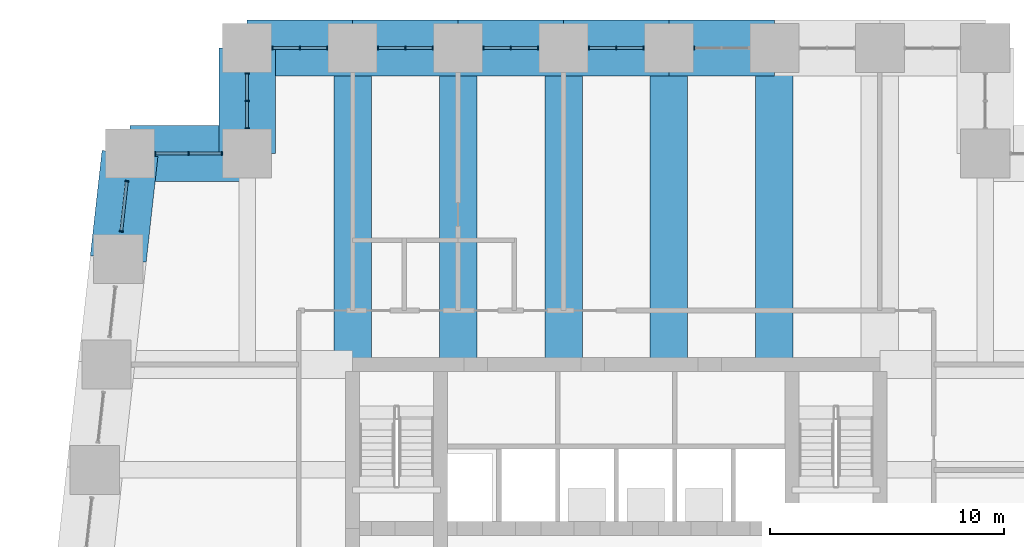
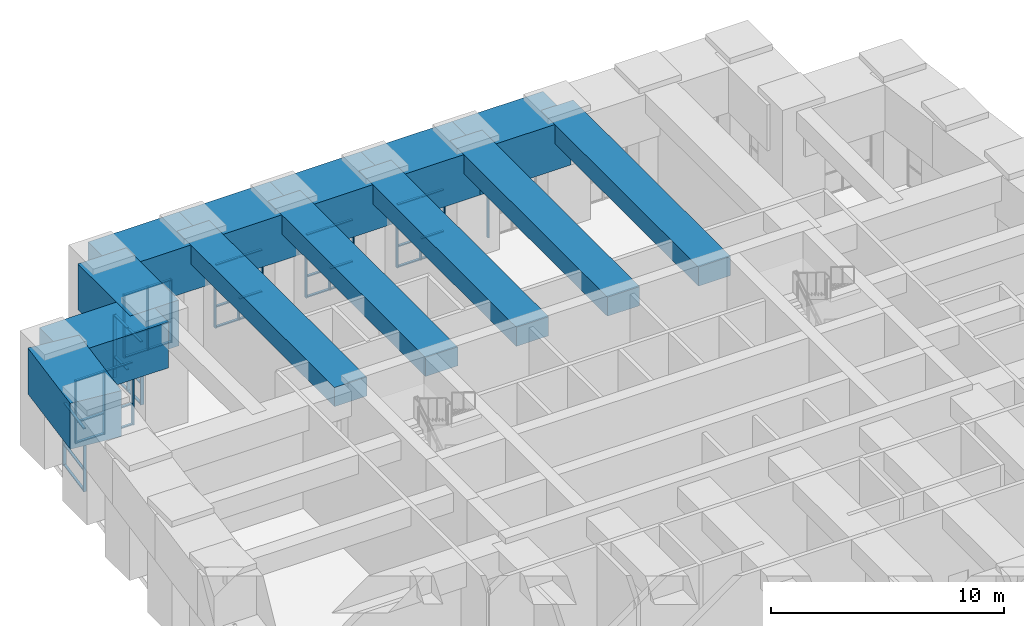
# One storey, part 7 of 17: 60 members, 13 beams, 8 elements without a shape of their own.
"""IFC4 building model written with IfcOpenShell, lengths in metres."""

from ifc_helpers import new_model, si_unit, direction, frame, origin, origin_2d, place, context, subcontext, project, spatial, rectangle, extrude, material, material_profile, profile_set, type_object, element, aggregate, save


model = new_model("IFC4")

# Units and contexts
model_context = context("Model", 3, precision=1e-05, world=origin(), true_north=direction((0.0, 1.0)))
body_context = subcontext(model_context, "Body", "Model", "MODEL_VIEW")
ifc_project = project(units=[si_unit("LENGTHUNIT", "METRE"), si_unit("AREAUNIT", "SQUARE_METRE"), si_unit("VOLUMEUNIT", "CUBIC_METRE"), si_unit("PLANEANGLEUNIT", "RADIAN"), si_unit("MASSUNIT", "GRAM", prefix="KILO")], contexts=[model_context])

# Site, building, storey
site_placement = place(None, origin())
site = spatial("IfcSite", under=ifc_project, at=site_placement, CompositionType="ELEMENT")
building_placement = place(site_placement, origin())
building = spatial("IfcBuilding", under=site, at=building_placement, Name="Kilele Tower Hotel", CompositionType="ELEMENT")
storey_placement = place(building_placement, frame((0.0, 0.0, 145.89990234375)))
storey = spatial("IfcBuildingStorey", under=building, at=storey_placement, Name="L38", CompositionType="ELEMENT", Elevation=145.89990234375)

# Beams
ifc_material_1 = material(Name="Concrete C60/75", Category="concrete")
ifc_material_profile_1 = material_profile(ifc_material_1, rectangle(XDim=1.60009765625, YDim=1.0, at=origin_2d()))
ifc_profile_set_1 = profile_set([ifc_material_profile_1], Name="Concrete C60/75")
beam_type_1 = type_object("IfcBeamType", Name="Beam RC 1600x1000 C60/75", PredefinedType="BEAM", material=ifc_profile_set_1)
for number, where, z_axis, x_axis, name in (
    (1, (31.5, 40.5, 5.2001953125), (0.0, -1.0, 0.0), (1.0, 0.0, 0.0), "Beam BC1 level L39"),
    (2, (27.0, 40.5, 5.2001953125), (0.0, -1.0, 0.0), (1.0, 0.0, 0.0), "Beam BC1 level L39"),
    (3, (22.5, 40.5, 5.2001953125), (0.0, -1.0, 0.0), (1.0, 0.0, 0.0), "Beam BC1 level L39"),
    (4, (18.0, 40.5, 5.2001953125), (0.0, -1.0, 0.0), (1.0, 0.0, 0.0), "Beam BC1 level L39"),
    (5, (13.5, 40.5, 5.2001953125), (0.0, -1.0, 0.0), (1.0, 0.0, 0.0), "Beam BC1 level L39"),
):
    element("IfcBeam", number, at=place(storey_placement, frame(where, z_axis=z_axis, x_axis=x_axis)), inside=storey, type_object=beam_type_1, Name=name, PredefinedType="BEAM", context=body_context, shape_type="SweptSolid", body=[
        extrude(rectangle(XDim=1.60009765625, YDim=1.0, at=origin_2d()), origin(), (0.0, 0.0, 1.0), 13.5),
    ])

# Curtain wall, member
ifc_material_2 = material(Name="Aluminium curtain wall, clear double glazing", Category="aluminium")
curtain_wall_type = type_object("IfcCurtainWallType", Name="Sky lobby curtain wall CW-3", PredefinedType="NOTDEFINED", material=ifc_material_2)
curtain_wall_1_placement = place(storey_placement, origin())
curtain_wall_1 = element("IfcCurtainWall", 6, at=curtain_wall_1_placement, inside=storey, type_object=curtain_wall_type, Name="Sky lobby curtain wall CW-3 L38", PredefinedType="NOTDEFINED")
ifc_material_3 = material(Name="Aluminium EN AW-6063 T6", Category="aluminium")
ifc_material_profile_2 = material_profile(ifc_material_3, rectangle(XDim=0.159912109375, YDim=0.06005859375, at=origin_2d()))
ifc_profile_set_2 = profile_set([ifc_material_profile_2], Name="Aluminium EN AW-6063 T6")
member_type_1 = type_object("IfcMemberType", Name="Mullion 60x160 CW-3", PredefinedType="MULLION", material=ifc_profile_set_2)
member_1_placement = place(storey_placement, frame((28.080078125, 40.5, 0.0), z_axis=(0.0, 0.0, 1.0), x_axis=(0.0, -1.0, 0.0)))
member_1 = element("IfcMember", 7, at=member_1_placement, type_object=member_type_1, Name="CW-3 mullion 3", PredefinedType="MULLION", context=body_context, shape_type="SweptSolid", body=[
    extrude(rectangle(XDim=0.159912109375, YDim=0.06005859375, at=origin_2d()), origin(), (0.0, 0.0, 1.0), 3.300048828125),
])
aggregate(curtain_wall_1, [member_1])

# Curtain wall, members
curtain_wall_2_placement = place(storey_placement, origin())
curtain_wall_2 = element("IfcCurtainWall", 8, at=curtain_wall_2_placement, inside=storey, type_object=curtain_wall_type, Name="Sky lobby curtain wall CW-3 L38", PredefinedType="NOTDEFINED")
member_2_placement = place(storey_placement, frame((25.919921875, 40.5, 0.0), z_axis=(0.0, 0.0, 1.0), x_axis=(0.0, -1.0, 0.0)))
member_2 = element("IfcMember", 9, at=member_2_placement, type_object=member_type_1, Name="CW-3 mullion 1", PredefinedType="MULLION", context=body_context, shape_type="SweptSolid", body=[
    extrude(rectangle(XDim=0.159912109375, YDim=0.06005859375, at=origin_2d()), origin(), (0.0, 0.0, 1.0), 3.300048828125),
])
member_3_placement = place(storey_placement, frame((24.75, 40.5, 0.0), z_axis=(0.0, 0.0, 1.0), x_axis=(0.0, -1.0, 0.0)))
member_3 = element("IfcMember", 10, at=member_3_placement, type_object=member_type_1, Name="CW-3 mullion 2", PredefinedType="MULLION", context=body_context, shape_type="SweptSolid", body=[
    extrude(rectangle(XDim=0.159912109375, YDim=0.06005859375, at=origin_2d()), origin(), (0.0, 0.0, 1.0), 3.300048828125),
])
member_4_placement = place(storey_placement, frame((23.580078125, 40.5, 0.0), z_axis=(0.0, 0.0, 1.0), x_axis=(0.0, -1.0, 0.0)))
member_4 = element("IfcMember", 11, at=member_4_placement, type_object=member_type_1, Name="CW-3 mullion 3", PredefinedType="MULLION", context=body_context, shape_type="SweptSolid", body=[
    extrude(rectangle(XDim=0.159912109375, YDim=0.06005859375, at=origin_2d()), origin(), (0.0, 0.0, 1.0), 3.300048828125),
])

curtain_wall_3_placement = place(storey_placement, origin())
curtain_wall_3 = element("IfcCurtainWall", 12, at=curtain_wall_3_placement, inside=storey, type_object=curtain_wall_type, Name="Sky lobby curtain wall CW-3 L38", PredefinedType="NOTDEFINED")
member_5_placement = place(storey_placement, frame((21.419921875, 40.5, 0.0), z_axis=(0.0, 0.0, 1.0), x_axis=(0.0, -1.0, 0.0)))
member_5 = element("IfcMember", 13, at=member_5_placement, type_object=member_type_1, Name="CW-3 mullion 1", PredefinedType="MULLION", context=body_context, shape_type="SweptSolid", body=[
    extrude(rectangle(XDim=0.159912109375, YDim=0.06005859375, at=origin_2d()), origin(), (0.0, 0.0, 1.0), 3.300048828125),
])
member_6_placement = place(storey_placement, frame((20.25, 40.5, 0.0), z_axis=(0.0, 0.0, 1.0), x_axis=(0.0, -1.0, 0.0)))
member_6 = element("IfcMember", 14, at=member_6_placement, type_object=member_type_1, Name="CW-3 mullion 2", PredefinedType="MULLION", context=body_context, shape_type="SweptSolid", body=[
    extrude(rectangle(XDim=0.159912109375, YDim=0.06005859375, at=origin_2d()), origin(), (0.0, 0.0, 1.0), 3.300048828125),
])
member_7_placement = place(storey_placement, frame((19.080078125, 40.5, 0.0), z_axis=(0.0, 0.0, 1.0), x_axis=(0.0, -1.0, 0.0)))
member_7 = element("IfcMember", 15, at=member_7_placement, type_object=member_type_1, Name="CW-3 mullion 3", PredefinedType="MULLION", context=body_context, shape_type="SweptSolid", body=[
    extrude(rectangle(XDim=0.159912109375, YDim=0.06005859375, at=origin_2d()), origin(), (0.0, 0.0, 1.0), 3.300048828125),
])

curtain_wall_4_placement = place(storey_placement, origin())
curtain_wall_4 = element("IfcCurtainWall", 16, at=curtain_wall_4_placement, inside=storey, type_object=curtain_wall_type, Name="Sky lobby curtain wall CW-3 L38", PredefinedType="NOTDEFINED")
member_8_placement = place(storey_placement, frame((16.919921875, 40.5, 0.0), z_axis=(0.0, 0.0, 1.0), x_axis=(0.0, -1.0, 0.0)))
member_8 = element("IfcMember", 17, at=member_8_placement, type_object=member_type_1, Name="CW-3 mullion 1", PredefinedType="MULLION", context=body_context, shape_type="SweptSolid", body=[
    extrude(rectangle(XDim=0.159912109375, YDim=0.06005859375, at=origin_2d()), origin(), (0.0, 0.0, 1.0), 3.300048828125),
])
member_9_placement = place(storey_placement, frame((15.75, 40.5, 0.0), z_axis=(0.0, 0.0, 1.0), x_axis=(0.0, -1.0, 0.0)))
member_9 = element("IfcMember", 18, at=member_9_placement, type_object=member_type_1, Name="CW-3 mullion 2", PredefinedType="MULLION", context=body_context, shape_type="SweptSolid", body=[
    extrude(rectangle(XDim=0.159912109375, YDim=0.06005859375, at=origin_2d()), origin(), (0.0, 0.0, 1.0), 3.300048828125),
])
member_10_placement = place(storey_placement, frame((14.580078125, 40.5, 0.0), z_axis=(0.0, 0.0, 1.0), x_axis=(0.0, -1.0, 0.0)))
member_10 = element("IfcMember", 19, at=member_10_placement, type_object=member_type_1, Name="CW-3 mullion 3", PredefinedType="MULLION", context=body_context, shape_type="SweptSolid", body=[
    extrude(rectangle(XDim=0.159912109375, YDim=0.06005859375, at=origin_2d()), origin(), (0.0, 0.0, 1.0), 3.300048828125),
])

curtain_wall_5_placement = place(storey_placement, origin())
curtain_wall_5 = element("IfcCurtainWall", 20, at=curtain_wall_5_placement, inside=storey, type_object=curtain_wall_type, Name="Sky lobby curtain wall CW-3 L38", PredefinedType="NOTDEFINED")
member_11_placement = place(storey_placement, frame((12.419921875, 40.5, 0.0), z_axis=(0.0, 0.0, 1.0), x_axis=(0.0, -1.0, 0.0)))
member_11 = element("IfcMember", 21, at=member_11_placement, type_object=member_type_1, Name="CW-3 mullion 1", PredefinedType="MULLION", context=body_context, shape_type="SweptSolid", body=[
    extrude(rectangle(XDim=0.159912109375, YDim=0.06005859375, at=origin_2d()), origin(), (0.0, 0.0, 1.0), 3.300048828125),
])
member_12_placement = place(storey_placement, frame((11.25, 40.5, 0.0), z_axis=(0.0, 0.0, 1.0), x_axis=(0.0, -1.0, 0.0)))
member_12 = element("IfcMember", 22, at=member_12_placement, type_object=member_type_1, Name="CW-3 mullion 2", PredefinedType="MULLION", context=body_context, shape_type="SweptSolid", body=[
    extrude(rectangle(XDim=0.159912109375, YDim=0.06005859375, at=origin_2d()), origin(), (0.0, 0.0, 1.0), 3.300048828125),
])
member_13_placement = place(storey_placement, frame((10.080078125, 40.5, 0.0), z_axis=(0.0, 0.0, 1.0), x_axis=(0.0, -1.0, 0.0)))
member_13 = element("IfcMember", 23, at=member_13_placement, type_object=member_type_1, Name="CW-3 mullion 3", PredefinedType="MULLION", context=body_context, shape_type="SweptSolid", body=[
    extrude(rectangle(XDim=0.159912109375, YDim=0.06005859375, at=origin_2d()), origin(), (0.0, 0.0, 1.0), 3.300048828125),
])

curtain_wall_6_placement = place(storey_placement, origin())
curtain_wall_6 = element("IfcCurtainWall", 24, at=curtain_wall_6_placement, inside=storey, type_object=curtain_wall_type, Name="Sky lobby curtain wall CW-3 L38", PredefinedType="NOTDEFINED")
member_14_placement = place(storey_placement, frame((9.0, 39.419921875, 0.0), z_axis=(0.0, 0.0, 1.0), x_axis=(1.0, 0.0, 0.0)))
member_14 = element("IfcMember", 25, at=member_14_placement, type_object=member_type_1, Name="CW-3 mullion 1", PredefinedType="MULLION", context=body_context, shape_type="SweptSolid", body=[
    extrude(rectangle(XDim=0.159912109375, YDim=0.06005859375, at=origin_2d()), origin(), (0.0, 0.0, 1.0), 3.300048828125),
])
member_15_placement = place(storey_placement, frame((9.0, 38.25, 0.0), z_axis=(0.0, 0.0, 1.0), x_axis=(1.0, 0.0, 0.0)))
member_15 = element("IfcMember", 26, at=member_15_placement, type_object=member_type_1, Name="CW-3 mullion 2", PredefinedType="MULLION", context=body_context, shape_type="SweptSolid", body=[
    extrude(rectangle(XDim=0.159912109375, YDim=0.06005859375, at=origin_2d()), origin(), (0.0, 0.0, 1.0), 3.300048828125),
])
member_16_placement = place(storey_placement, frame((9.0, 37.080078125, 0.0), z_axis=(0.0, 0.0, 1.0), x_axis=(1.0, 0.0, 0.0)))
member_16 = element("IfcMember", 27, at=member_16_placement, type_object=member_type_1, Name="CW-3 mullion 3", PredefinedType="MULLION", context=body_context, shape_type="SweptSolid", body=[
    extrude(rectangle(XDim=0.159912109375, YDim=0.06005859375, at=origin_2d()), origin(), (0.0, 0.0, 1.0), 3.300048828125),
])

curtain_wall_7_placement = place(storey_placement, origin())
curtain_wall_7 = element("IfcCurtainWall", 28, at=curtain_wall_7_placement, inside=storey, type_object=curtain_wall_type, Name="Sky lobby curtain wall CW-3 L38", PredefinedType="NOTDEFINED")
member_17_placement = place(storey_placement, frame((7.919921875, 36.0, 0.0), z_axis=(0.0, 0.0, 1.0), x_axis=(0.0, -1.0, 0.0)))
member_17 = element("IfcMember", 29, at=member_17_placement, type_object=member_type_1, Name="CW-3 mullion 1", PredefinedType="MULLION", context=body_context, shape_type="SweptSolid", body=[
    extrude(rectangle(XDim=0.159912109375, YDim=0.06005859375, at=origin_2d()), origin(), (0.0, 0.0, 1.0), 3.300048828125),
])
member_18_placement = place(storey_placement, frame((6.5, 36.0, 0.0), z_axis=(0.0, 0.0, 1.0), x_axis=(0.0, -1.0, 0.0)))
member_18 = element("IfcMember", 30, at=member_18_placement, type_object=member_type_1, Name="CW-3 mullion 2", PredefinedType="MULLION", context=body_context, shape_type="SweptSolid", body=[
    extrude(rectangle(XDim=0.159912109375, YDim=0.06005859375, at=origin_2d()), origin(), (0.0, 0.0, 1.0), 3.300048828125),
])
member_19_placement = place(storey_placement, frame((5.080078125, 36.0, 0.0), z_axis=(0.0, 0.0, 1.0), x_axis=(0.0, -1.0, 0.0)))
member_19 = element("IfcMember", 31, at=member_19_placement, type_object=member_type_1, Name="CW-3 mullion 3", PredefinedType="MULLION", context=body_context, shape_type="SweptSolid", body=[
    extrude(rectangle(XDim=0.159912109375, YDim=0.06005859375, at=origin_2d()), origin(), (0.0, 0.0, 1.0), 3.300048828125),
])

curtain_wall_8_placement = place(storey_placement, origin())
curtain_wall_8 = element("IfcCurtainWall", 32, at=curtain_wall_8_placement, inside=storey, type_object=curtain_wall_type, Name="Sky lobby curtain wall CW-3 L38", PredefinedType="NOTDEFINED")
member_20_placement = place(storey_placement, frame((3.86865234375, 34.817626953125, 0.0), z_axis=(0.0, 0.0, 1.0), x_axis=(0.993883734629, -0.110431526475, 0.0)))
member_20 = element("IfcMember", 33, at=member_20_placement, type_object=member_type_1, Name="CW-3 mullion 1", PredefinedType="MULLION", context=body_context, shape_type="SweptSolid", body=[
    extrude(rectangle(XDim=0.159912109375, YDim=0.06005859375, at=origin_2d()), origin(), (0.0, 0.0, 1.0), 3.300048828125),
])
member_21_placement = place(storey_placement, frame((3.63134765625, 32.682373046875, 0.0), z_axis=(0.0, 0.0, 1.0), x_axis=(0.993883734629, -0.110431526475, 0.0)))
member_21 = element("IfcMember", 34, at=member_21_placement, type_object=member_type_1, Name="CW-3 mullion 2", PredefinedType="MULLION", context=body_context, shape_type="SweptSolid", body=[
    extrude(rectangle(XDim=0.159912109375, YDim=0.06005859375, at=origin_2d()), origin(), (0.0, 0.0, 1.0), 3.300048828125),
])

# Beams
ifc_material_4 = material(Name="Concrete C60/75", Category="concrete")
ifc_material_profile_3 = material_profile(ifc_material_4, rectangle(XDim=2.39990234375, YDim=2.39990234375, at=origin_2d()))
ifc_profile_set_3 = profile_set([ifc_material_profile_3], Name="Concrete C60/75")
beam_type_2 = type_object("IfcBeamType", Name="Spandrel RC 2400x2400 C60/75", PredefinedType="SPANDREL", material=ifc_profile_set_3)
for number, where, z_axis, x_axis, name in (
    (35, (31.5, 40.5, 4.5), (-1.0, 0.0, 0.0), (0.0, -1.0, 0.0), "Spandrel SP15 level L39"),
    (36, (27.0, 40.5, 4.5), (-1.0, 0.0, 0.0), (0.0, -1.0, 0.0), "Spandrel SP15 level L39"),
    (37, (22.5, 40.5, 4.5), (-1.0, 0.0, 0.0), (0.0, -1.0, 0.0), "Spandrel SP15 level L39"),
    (38, (18.0, 40.5, 4.5), (-1.0, 0.0, 0.0), (0.0, -1.0, 0.0), "Spandrel SP15 level L39"),
    (39, (13.5, 40.5, 4.5), (-1.0, 0.0, 0.0), (0.0, -1.0, 0.0), "Spandrel SP15 level L39"),
    (40, (9.0, 40.5, 4.5), (0.0, -1.0, 0.0), (1.0, 0.0, 0.0), "Spandrel SP15 level L39"),
):
    element("IfcBeam", number, at=place(storey_placement, frame(where, z_axis=z_axis, x_axis=x_axis)), inside=storey, type_object=beam_type_2, Name=name, PredefinedType="SPANDREL", context=body_context, shape_type="SweptSolid", body=[
        extrude(rectangle(XDim=2.39990234375, YDim=2.39990234375, at=origin_2d()), origin(), (0.0, 0.0, 1.0), 4.5),
    ])
beam_1_placement = place(storey_placement, frame((9.0, 36.0, 4.5), z_axis=(-1.0, 0.0, 0.0), x_axis=(0.0, -1.0, 0.0)))
element("IfcBeam", 41, at=beam_1_placement, inside=storey, type_object=beam_type_2, Name="Spandrel SP15 level L39", PredefinedType="SPANDREL", context=body_context, shape_type="SweptSolid", body=[
    extrude(rectangle(XDim=2.39990234375, YDim=2.39990234375, at=origin_2d()), origin(), (0.0, 0.0, 1.0), 5.0),
])
beam_2_placement = place(storey_placement, frame((4.0, 36.0, 4.5), z_axis=(-0.110431526075, -0.993883734674, 0.0), x_axis=(0.993883734674, -0.110431526075, 0.0)))
element("IfcBeam", 42, at=beam_2_placement, inside=storey, type_object=beam_type_2, Name="Spandrel SP15 level L39", PredefinedType="SPANDREL", context=body_context, shape_type="SweptSolid", body=[
    extrude(rectangle(XDim=2.39990234375, YDim=2.39990234375, at=origin_2d()), origin(), (0.0, 0.0, 1.0), 4.527587890625),
])

# Member
ifc_material_5 = material(Name="Aluminium EN AW-6063 T6", Category="aluminium")
ifc_material_profile_4 = material_profile(ifc_material_5, rectangle(XDim=0.1201171875, YDim=0.06005859375, at=origin_2d()))
ifc_profile_set_4 = profile_set([ifc_material_profile_4], Name="Aluminium EN AW-6063 T6")
member_type_2 = type_object("IfcMemberType", Name="Transom 60x120 CW-3", PredefinedType="USERDEFINED", material=ifc_profile_set_4)
member_22_placement = place(storey_placement, frame((25.889892578125, 40.5, 0.030029296875), z_axis=(-1.0, 0.0, 0.0), x_axis=(0.0, -1.0, 0.0)))
member_22 = element("IfcMember", 43, at=member_22_placement, type_object=member_type_2, Name="CW-3 transom 1.1", ObjectType="TRANSOM", PredefinedType="USERDEFINED", context=body_context, shape_type="SweptSolid", body=[
    extrude(rectangle(XDim=0.1201171875, YDim=0.06005859375, at=origin_2d()), origin(), (0.0, 0.0, 1.0), 1.10986328125),
])

member_23_placement = place(storey_placement, frame((25.889892578125, 40.5, 1.10009765625), z_axis=(-1.0, 0.0, 0.0), x_axis=(0.0, -1.0, 0.0)))
member_23 = element("IfcMember", 44, at=member_23_placement, type_object=member_type_2, Name="CW-3 transom 1.2", ObjectType="TRANSOM", PredefinedType="USERDEFINED", context=body_context, shape_type="SweptSolid", body=[
    extrude(rectangle(XDim=0.1201171875, YDim=0.06005859375, at=origin_2d()), origin(), (0.0, 0.0, 1.0), 1.10986328125),
])

member_24_placement = place(storey_placement, frame((25.889892578125, 40.5, 3.27001953125), z_axis=(-1.0, 0.0, 0.0), x_axis=(0.0, -1.0, 0.0)))
member_24 = element("IfcMember", 45, at=member_24_placement, type_object=member_type_2, Name="CW-3 transom 1.3", ObjectType="TRANSOM", PredefinedType="USERDEFINED", context=body_context, shape_type="SweptSolid", body=[
    extrude(rectangle(XDim=0.1201171875, YDim=0.06005859375, at=origin_2d()), origin(), (0.0, 0.0, 1.0), 1.10986328125),
])

member_25_placement = place(storey_placement, frame((24.719970703125, 40.5, 0.030029296875), z_axis=(-1.0, 0.0, 0.0), x_axis=(0.0, -1.0, 0.0)))
member_25 = element("IfcMember", 46, at=member_25_placement, type_object=member_type_2, Name="CW-3 transom 2.1", ObjectType="TRANSOM", PredefinedType="USERDEFINED", context=body_context, shape_type="SweptSolid", body=[
    extrude(rectangle(XDim=0.1201171875, YDim=0.06005859375, at=origin_2d()), origin(), (0.0, 0.0, 1.0), 1.10986328125),
])

member_26_placement = place(storey_placement, frame((24.719970703125, 40.5, 1.10009765625), z_axis=(-1.0, 0.0, 0.0), x_axis=(0.0, -1.0, 0.0)))
member_26 = element("IfcMember", 47, at=member_26_placement, type_object=member_type_2, Name="CW-3 transom 2.2", ObjectType="TRANSOM", PredefinedType="USERDEFINED", context=body_context, shape_type="SweptSolid", body=[
    extrude(rectangle(XDim=0.1201171875, YDim=0.06005859375, at=origin_2d()), origin(), (0.0, 0.0, 1.0), 1.10986328125),
])

member_27_placement = place(storey_placement, frame((24.719970703125, 40.5, 3.27001953125), z_axis=(-1.0, 0.0, 0.0), x_axis=(0.0, -1.0, 0.0)))
member_27 = element("IfcMember", 48, at=member_27_placement, type_object=member_type_2, Name="CW-3 transom 2.3", ObjectType="TRANSOM", PredefinedType="USERDEFINED", context=body_context, shape_type="SweptSolid", body=[
    extrude(rectangle(XDim=0.1201171875, YDim=0.06005859375, at=origin_2d()), origin(), (0.0, 0.0, 1.0), 1.10986328125),
])

aggregate(curtain_wall_2, [member_2, member_3, member_4, member_22, member_23, member_24, member_25, member_26, member_27])

member_28_placement = place(storey_placement, frame((21.389892578125, 40.5, 0.030029296875), z_axis=(-1.0, 0.0, 0.0), x_axis=(0.0, -1.0, 0.0)))
member_28 = element("IfcMember", 49, at=member_28_placement, type_object=member_type_2, Name="CW-3 transom 1.1", ObjectType="TRANSOM", PredefinedType="USERDEFINED", context=body_context, shape_type="SweptSolid", body=[
    extrude(rectangle(XDim=0.1201171875, YDim=0.06005859375, at=origin_2d()), origin(), (0.0, 0.0, 1.0), 1.10986328125),
])

member_29_placement = place(storey_placement, frame((21.389892578125, 40.5, 1.10009765625), z_axis=(-1.0, 0.0, 0.0), x_axis=(0.0, -1.0, 0.0)))
member_29 = element("IfcMember", 50, at=member_29_placement, type_object=member_type_2, Name="CW-3 transom 1.2", ObjectType="TRANSOM", PredefinedType="USERDEFINED", context=body_context, shape_type="SweptSolid", body=[
    extrude(rectangle(XDim=0.1201171875, YDim=0.06005859375, at=origin_2d()), origin(), (0.0, 0.0, 1.0), 1.10986328125),
])

member_30_placement = place(storey_placement, frame((21.389892578125, 40.5, 3.27001953125), z_axis=(-1.0, 0.0, 0.0), x_axis=(0.0, -1.0, 0.0)))
member_30 = element("IfcMember", 51, at=member_30_placement, type_object=member_type_2, Name="CW-3 transom 1.3", ObjectType="TRANSOM", PredefinedType="USERDEFINED", context=body_context, shape_type="SweptSolid", body=[
    extrude(rectangle(XDim=0.1201171875, YDim=0.06005859375, at=origin_2d()), origin(), (0.0, 0.0, 1.0), 1.10986328125),
])

member_31_placement = place(storey_placement, frame((20.219970703125, 40.5, 0.030029296875), z_axis=(-1.0, 0.0, 0.0), x_axis=(0.0, -1.0, 0.0)))
member_31 = element("IfcMember", 52, at=member_31_placement, type_object=member_type_2, Name="CW-3 transom 2.1", ObjectType="TRANSOM", PredefinedType="USERDEFINED", context=body_context, shape_type="SweptSolid", body=[
    extrude(rectangle(XDim=0.1201171875, YDim=0.06005859375, at=origin_2d()), origin(), (0.0, 0.0, 1.0), 1.10986328125),
])

member_32_placement = place(storey_placement, frame((20.219970703125, 40.5, 1.10009765625), z_axis=(-1.0, 0.0, 0.0), x_axis=(0.0, -1.0, 0.0)))
member_32 = element("IfcMember", 53, at=member_32_placement, type_object=member_type_2, Name="CW-3 transom 2.2", ObjectType="TRANSOM", PredefinedType="USERDEFINED", context=body_context, shape_type="SweptSolid", body=[
    extrude(rectangle(XDim=0.1201171875, YDim=0.06005859375, at=origin_2d()), origin(), (0.0, 0.0, 1.0), 1.10986328125),
])

member_33_placement = place(storey_placement, frame((20.219970703125, 40.5, 3.27001953125), z_axis=(-1.0, 0.0, 0.0), x_axis=(0.0, -1.0, 0.0)))
member_33 = element("IfcMember", 54, at=member_33_placement, type_object=member_type_2, Name="CW-3 transom 2.3", ObjectType="TRANSOM", PredefinedType="USERDEFINED", context=body_context, shape_type="SweptSolid", body=[
    extrude(rectangle(XDim=0.1201171875, YDim=0.06005859375, at=origin_2d()), origin(), (0.0, 0.0, 1.0), 1.10986328125),
])

aggregate(curtain_wall_3, [member_5, member_6, member_7, member_28, member_29, member_30, member_31, member_32, member_33])

member_34_placement = place(storey_placement, frame((16.889892578125, 40.5, 0.030029296875), z_axis=(-1.0, 0.0, 0.0), x_axis=(0.0, -1.0, 0.0)))
member_34 = element("IfcMember", 55, at=member_34_placement, type_object=member_type_2, Name="CW-3 transom 1.1", ObjectType="TRANSOM", PredefinedType="USERDEFINED", context=body_context, shape_type="SweptSolid", body=[
    extrude(rectangle(XDim=0.1201171875, YDim=0.06005859375, at=origin_2d()), origin(), (0.0, 0.0, 1.0), 1.10986328125),
])

member_35_placement = place(storey_placement, frame((16.889892578125, 40.5, 1.10009765625), z_axis=(-1.0, 0.0, 0.0), x_axis=(0.0, -1.0, 0.0)))
member_35 = element("IfcMember", 56, at=member_35_placement, type_object=member_type_2, Name="CW-3 transom 1.2", ObjectType="TRANSOM", PredefinedType="USERDEFINED", context=body_context, shape_type="SweptSolid", body=[
    extrude(rectangle(XDim=0.1201171875, YDim=0.06005859375, at=origin_2d()), origin(), (0.0, 0.0, 1.0), 1.10986328125),
])

member_36_placement = place(storey_placement, frame((16.889892578125, 40.5, 3.27001953125), z_axis=(-1.0, 0.0, 0.0), x_axis=(0.0, -1.0, 0.0)))
member_36 = element("IfcMember", 57, at=member_36_placement, type_object=member_type_2, Name="CW-3 transom 1.3", ObjectType="TRANSOM", PredefinedType="USERDEFINED", context=body_context, shape_type="SweptSolid", body=[
    extrude(rectangle(XDim=0.1201171875, YDim=0.06005859375, at=origin_2d()), origin(), (0.0, 0.0, 1.0), 1.10986328125),
])

member_37_placement = place(storey_placement, frame((15.719970703125, 40.5, 0.030029296875), z_axis=(-1.0, 0.0, 0.0), x_axis=(0.0, -1.0, 0.0)))
member_37 = element("IfcMember", 58, at=member_37_placement, type_object=member_type_2, Name="CW-3 transom 2.1", ObjectType="TRANSOM", PredefinedType="USERDEFINED", context=body_context, shape_type="SweptSolid", body=[
    extrude(rectangle(XDim=0.1201171875, YDim=0.06005859375, at=origin_2d()), origin(), (0.0, 0.0, 1.0), 1.10986328125),
])

member_38_placement = place(storey_placement, frame((15.719970703125, 40.5, 1.10009765625), z_axis=(-1.0, 0.0, 0.0), x_axis=(0.0, -1.0, 0.0)))
member_38 = element("IfcMember", 59, at=member_38_placement, type_object=member_type_2, Name="CW-3 transom 2.2", ObjectType="TRANSOM", PredefinedType="USERDEFINED", context=body_context, shape_type="SweptSolid", body=[
    extrude(rectangle(XDim=0.1201171875, YDim=0.06005859375, at=origin_2d()), origin(), (0.0, 0.0, 1.0), 1.10986328125),
])

member_39_placement = place(storey_placement, frame((15.719970703125, 40.5, 3.27001953125), z_axis=(-1.0, 0.0, 0.0), x_axis=(0.0, -1.0, 0.0)))
member_39 = element("IfcMember", 60, at=member_39_placement, type_object=member_type_2, Name="CW-3 transom 2.3", ObjectType="TRANSOM", PredefinedType="USERDEFINED", context=body_context, shape_type="SweptSolid", body=[
    extrude(rectangle(XDim=0.1201171875, YDim=0.06005859375, at=origin_2d()), origin(), (0.0, 0.0, 1.0), 1.10986328125),
])

aggregate(curtain_wall_4, [member_8, member_9, member_10, member_34, member_35, member_36, member_37, member_38, member_39])

member_40_placement = place(storey_placement, frame((12.389892578125, 40.5, 0.030029296875), z_axis=(-1.0, 0.0, 0.0), x_axis=(0.0, -1.0, 0.0)))
member_40 = element("IfcMember", 61, at=member_40_placement, type_object=member_type_2, Name="CW-3 transom 1.1", ObjectType="TRANSOM", PredefinedType="USERDEFINED", context=body_context, shape_type="SweptSolid", body=[
    extrude(rectangle(XDim=0.1201171875, YDim=0.06005859375, at=origin_2d()), origin(), (0.0, 0.0, 1.0), 1.10986328125),
])

member_41_placement = place(storey_placement, frame((12.389892578125, 40.5, 1.10009765625), z_axis=(-1.0, 0.0, 0.0), x_axis=(0.0, -1.0, 0.0)))
member_41 = element("IfcMember", 62, at=member_41_placement, type_object=member_type_2, Name="CW-3 transom 1.2", ObjectType="TRANSOM", PredefinedType="USERDEFINED", context=body_context, shape_type="SweptSolid", body=[
    extrude(rectangle(XDim=0.1201171875, YDim=0.06005859375, at=origin_2d()), origin(), (0.0, 0.0, 1.0), 1.10986328125),
])

member_42_placement = place(storey_placement, frame((12.389892578125, 40.5, 3.27001953125), z_axis=(-1.0, 0.0, 0.0), x_axis=(0.0, -1.0, 0.0)))
member_42 = element("IfcMember", 63, at=member_42_placement, type_object=member_type_2, Name="CW-3 transom 1.3", ObjectType="TRANSOM", PredefinedType="USERDEFINED", context=body_context, shape_type="SweptSolid", body=[
    extrude(rectangle(XDim=0.1201171875, YDim=0.06005859375, at=origin_2d()), origin(), (0.0, 0.0, 1.0), 1.10986328125),
])

member_43_placement = place(storey_placement, frame((11.219970703125, 40.5, 0.030029296875), z_axis=(-1.0, 0.0, 0.0), x_axis=(0.0, -1.0, 0.0)))
member_43 = element("IfcMember", 64, at=member_43_placement, type_object=member_type_2, Name="CW-3 transom 2.1", ObjectType="TRANSOM", PredefinedType="USERDEFINED", context=body_context, shape_type="SweptSolid", body=[
    extrude(rectangle(XDim=0.1201171875, YDim=0.06005859375, at=origin_2d()), origin(), (0.0, 0.0, 1.0), 1.10986328125),
])

member_44_placement = place(storey_placement, frame((11.219970703125, 40.5, 1.10009765625), z_axis=(-1.0, 0.0, 0.0), x_axis=(0.0, -1.0, 0.0)))
member_44 = element("IfcMember", 65, at=member_44_placement, type_object=member_type_2, Name="CW-3 transom 2.2", ObjectType="TRANSOM", PredefinedType="USERDEFINED", context=body_context, shape_type="SweptSolid", body=[
    extrude(rectangle(XDim=0.1201171875, YDim=0.06005859375, at=origin_2d()), origin(), (0.0, 0.0, 1.0), 1.10986328125),
])

member_45_placement = place(storey_placement, frame((11.219970703125, 40.5, 3.27001953125), z_axis=(-1.0, 0.0, 0.0), x_axis=(0.0, -1.0, 0.0)))
member_45 = element("IfcMember", 66, at=member_45_placement, type_object=member_type_2, Name="CW-3 transom 2.3", ObjectType="TRANSOM", PredefinedType="USERDEFINED", context=body_context, shape_type="SweptSolid", body=[
    extrude(rectangle(XDim=0.1201171875, YDim=0.06005859375, at=origin_2d()), origin(), (0.0, 0.0, 1.0), 1.10986328125),
])

aggregate(curtain_wall_5, [member_11, member_12, member_13, member_40, member_41, member_42, member_43, member_44, member_45])

member_46_placement = place(storey_placement, frame((9.0, 39.389892578125, 0.030029296875), z_axis=(0.0, -1.0, 0.0), x_axis=(1.0, 0.0, 0.0)))
member_46 = element("IfcMember", 67, at=member_46_placement, type_object=member_type_2, Name="CW-3 transom 1.1", ObjectType="TRANSOM", PredefinedType="USERDEFINED", context=body_context, shape_type="SweptSolid", body=[
    extrude(rectangle(XDim=0.1201171875, YDim=0.06005859375, at=origin_2d()), origin(), (0.0, 0.0, 1.0), 1.10986328125),
])

member_47_placement = place(storey_placement, frame((9.0, 39.389892578125, 1.10009765625), z_axis=(0.0, -1.0, 0.0), x_axis=(1.0, 0.0, 0.0)))
member_47 = element("IfcMember", 68, at=member_47_placement, type_object=member_type_2, Name="CW-3 transom 1.2", ObjectType="TRANSOM", PredefinedType="USERDEFINED", context=body_context, shape_type="SweptSolid", body=[
    extrude(rectangle(XDim=0.1201171875, YDim=0.06005859375, at=origin_2d()), origin(), (0.0, 0.0, 1.0), 1.10986328125),
])

member_48_placement = place(storey_placement, frame((9.0, 39.389892578125, 3.27001953125), z_axis=(0.0, -1.0, 0.0), x_axis=(1.0, 0.0, 0.0)))
member_48 = element("IfcMember", 69, at=member_48_placement, type_object=member_type_2, Name="CW-3 transom 1.3", ObjectType="TRANSOM", PredefinedType="USERDEFINED", context=body_context, shape_type="SweptSolid", body=[
    extrude(rectangle(XDim=0.1201171875, YDim=0.06005859375, at=origin_2d()), origin(), (0.0, 0.0, 1.0), 1.10986328125),
])

member_49_placement = place(storey_placement, frame((9.0, 38.219970703125, 0.030029296875), z_axis=(0.0, -1.0, 0.0), x_axis=(1.0, 0.0, 0.0)))
member_49 = element("IfcMember", 70, at=member_49_placement, type_object=member_type_2, Name="CW-3 transom 2.1", ObjectType="TRANSOM", PredefinedType="USERDEFINED", context=body_context, shape_type="SweptSolid", body=[
    extrude(rectangle(XDim=0.1201171875, YDim=0.06005859375, at=origin_2d()), origin(), (0.0, 0.0, 1.0), 1.10986328125),
])

member_50_placement = place(storey_placement, frame((9.0, 38.219970703125, 1.10009765625), z_axis=(0.0, -1.0, 0.0), x_axis=(1.0, 0.0, 0.0)))
member_50 = element("IfcMember", 71, at=member_50_placement, type_object=member_type_2, Name="CW-3 transom 2.2", ObjectType="TRANSOM", PredefinedType="USERDEFINED", context=body_context, shape_type="SweptSolid", body=[
    extrude(rectangle(XDim=0.1201171875, YDim=0.06005859375, at=origin_2d()), origin(), (0.0, 0.0, 1.0), 1.10986328125),
])

member_51_placement = place(storey_placement, frame((9.0, 38.219970703125, 3.27001953125), z_axis=(0.0, -1.0, 0.0), x_axis=(1.0, 0.0, 0.0)))
member_51 = element("IfcMember", 72, at=member_51_placement, type_object=member_type_2, Name="CW-3 transom 2.3", ObjectType="TRANSOM", PredefinedType="USERDEFINED", context=body_context, shape_type="SweptSolid", body=[
    extrude(rectangle(XDim=0.1201171875, YDim=0.06005859375, at=origin_2d()), origin(), (0.0, 0.0, 1.0), 1.10986328125),
])

aggregate(curtain_wall_6, [member_14, member_15, member_16, member_46, member_47, member_48, member_49, member_50, member_51])

member_52_placement = place(storey_placement, frame((7.889892578125, 36.0, 0.030029296875), z_axis=(-1.0, 0.0, 0.0), x_axis=(0.0, -1.0, 0.0)))
member_52 = element("IfcMember", 73, at=member_52_placement, type_object=member_type_2, Name="CW-3 transom 1.1", ObjectType="TRANSOM", PredefinedType="USERDEFINED", context=body_context, shape_type="SweptSolid", body=[
    extrude(rectangle(XDim=0.1201171875, YDim=0.06005859375, at=origin_2d()), origin(), (0.0, 0.0, 1.0), 1.35986328125),
])

member_53_placement = place(storey_placement, frame((7.889892578125, 36.0, 1.10009765625), z_axis=(-1.0, 0.0, 0.0), x_axis=(0.0, -1.0, 0.0)))
member_53 = element("IfcMember", 74, at=member_53_placement, type_object=member_type_2, Name="CW-3 transom 1.2", ObjectType="TRANSOM", PredefinedType="USERDEFINED", context=body_context, shape_type="SweptSolid", body=[
    extrude(rectangle(XDim=0.1201171875, YDim=0.06005859375, at=origin_2d()), origin(), (0.0, 0.0, 1.0), 1.35986328125),
])

member_54_placement = place(storey_placement, frame((7.889892578125, 36.0, 3.27001953125), z_axis=(-1.0, 0.0, 0.0), x_axis=(0.0, -1.0, 0.0)))
member_54 = element("IfcMember", 75, at=member_54_placement, type_object=member_type_2, Name="CW-3 transom 1.3", ObjectType="TRANSOM", PredefinedType="USERDEFINED", context=body_context, shape_type="SweptSolid", body=[
    extrude(rectangle(XDim=0.1201171875, YDim=0.06005859375, at=origin_2d()), origin(), (0.0, 0.0, 1.0), 1.35986328125),
])

member_55_placement = place(storey_placement, frame((6.469970703125, 36.0, 0.030029296875), z_axis=(-1.0, 0.0, 0.0), x_axis=(0.0, -1.0, 0.0)))
member_55 = element("IfcMember", 76, at=member_55_placement, type_object=member_type_2, Name="CW-3 transom 2.1", ObjectType="TRANSOM", PredefinedType="USERDEFINED", context=body_context, shape_type="SweptSolid", body=[
    extrude(rectangle(XDim=0.1201171875, YDim=0.06005859375, at=origin_2d()), origin(), (0.0, 0.0, 1.0), 1.35986328125),
])

member_56_placement = place(storey_placement, frame((6.469970703125, 36.0, 1.10009765625), z_axis=(-1.0, 0.0, 0.0), x_axis=(0.0, -1.0, 0.0)))
member_56 = element("IfcMember", 77, at=member_56_placement, type_object=member_type_2, Name="CW-3 transom 2.2", ObjectType="TRANSOM", PredefinedType="USERDEFINED", context=body_context, shape_type="SweptSolid", body=[
    extrude(rectangle(XDim=0.1201171875, YDim=0.06005859375, at=origin_2d()), origin(), (0.0, 0.0, 1.0), 1.35986328125),
])

member_57_placement = place(storey_placement, frame((6.469970703125, 36.0, 3.27001953125), z_axis=(-1.0, 0.0, 0.0), x_axis=(0.0, -1.0, 0.0)))
member_57 = element("IfcMember", 78, at=member_57_placement, type_object=member_type_2, Name="CW-3 transom 2.3", ObjectType="TRANSOM", PredefinedType="USERDEFINED", context=body_context, shape_type="SweptSolid", body=[
    extrude(rectangle(XDim=0.1201171875, YDim=0.06005859375, at=origin_2d()), origin(), (0.0, 0.0, 1.0), 1.35986328125),
])

aggregate(curtain_wall_7, [member_17, member_18, member_19, member_52, member_53, member_54, member_55, member_56, member_57])

member_58_placement = place(storey_placement, frame((3.865234375, 34.787841796875, 0.030029296875), z_axis=(-0.110354542159, -0.993892285424, 0.0), x_axis=(0.993892285424, -0.110354542159, 0.0)))
member_58 = element("IfcMember", 79, at=member_58_placement, type_object=member_type_2, Name="CW-3 transom 1.1", ObjectType="TRANSOM", PredefinedType="USERDEFINED", context=body_context, shape_type="SweptSolid", body=[
    extrude(rectangle(XDim=0.1201171875, YDim=0.06005859375, at=origin_2d()), origin(), (0.0, 0.0, 1.0), 2.08837890625),
])

member_59_placement = place(storey_placement, frame((3.865234375, 34.787841796875, 1.10009765625), z_axis=(-0.110354542159, -0.993892285424, 0.0), x_axis=(0.993892285424, -0.110354542159, 0.0)))
member_59 = element("IfcMember", 80, at=member_59_placement, type_object=member_type_2, Name="CW-3 transom 1.2", ObjectType="TRANSOM", PredefinedType="USERDEFINED", context=body_context, shape_type="SweptSolid", body=[
    extrude(rectangle(XDim=0.1201171875, YDim=0.06005859375, at=origin_2d()), origin(), (0.0, 0.0, 1.0), 2.08837890625),
])

member_60_placement = place(storey_placement, frame((3.865234375, 34.787841796875, 3.27001953125), z_axis=(-0.110354542159, -0.993892285424, 0.0), x_axis=(0.993892285424, -0.110354542159, 0.0)))
member_60 = element("IfcMember", 81, at=member_60_placement, type_object=member_type_2, Name="CW-3 transom 1.3", ObjectType="TRANSOM", PredefinedType="USERDEFINED", context=body_context, shape_type="SweptSolid", body=[
    extrude(rectangle(XDim=0.1201171875, YDim=0.06005859375, at=origin_2d()), origin(), (0.0, 0.0, 1.0), 2.08837890625),
])

aggregate(curtain_wall_8, [member_20, member_21, member_58, member_59, member_60])

save(model, "model.ifc")
